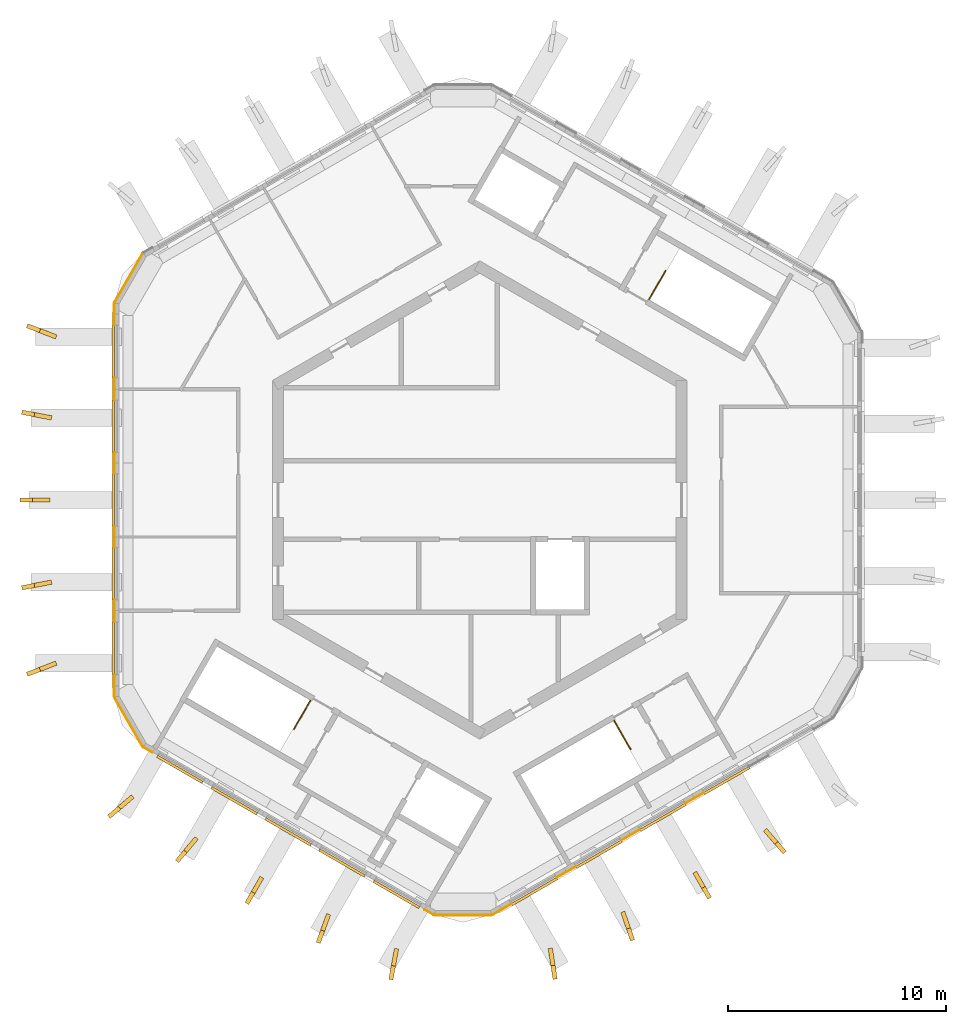
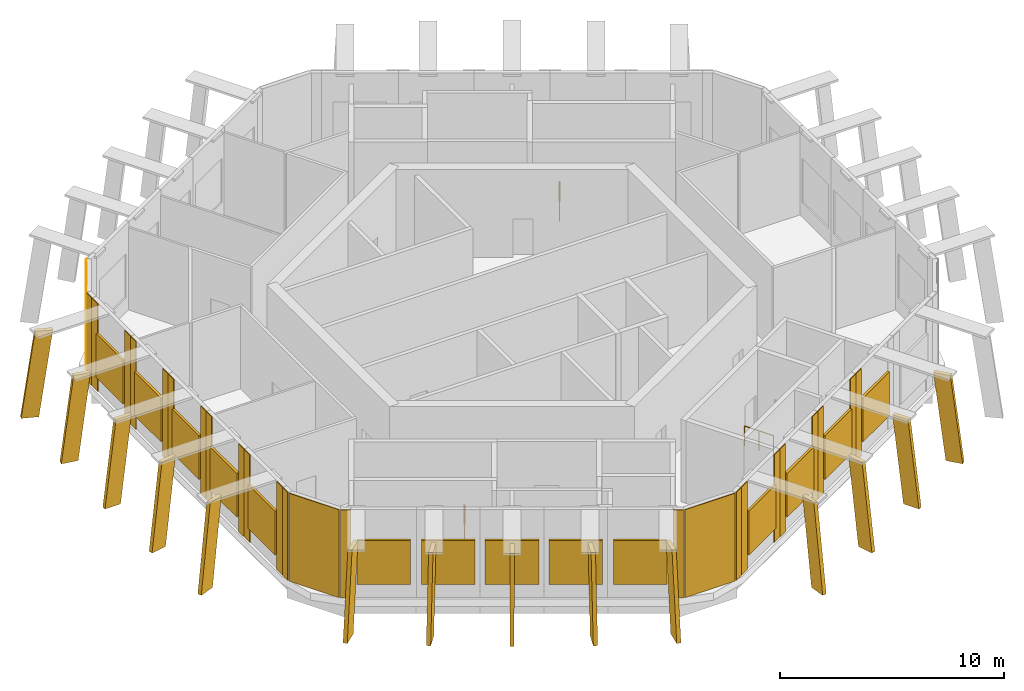
# One storey, part 6 of 8: 28 shading devices, 25 coverings, 3 railings.
"""IFC4 building model written with IfcOpenShell, lengths in metres."""

from ifc_helpers import new_model, si_unit, direction, frame, origin, origin_2d, place, context, subcontext, project, spatial, polyline, rectangle, circle, outline, extrude, material, layer, layer_set, type_object, element, save


model = new_model("IFC4")

# Units and contexts
model_context = context("Model", 3, precision=1e-05, world=origin(), true_north=direction((0.0, 1.0)))
body_context = subcontext(model_context, "Body", "Model", "MODEL_VIEW")
ifc_project = project(units=[si_unit("LENGTHUNIT", "METRE"), si_unit("AREAUNIT", "SQUARE_METRE"), si_unit("VOLUMEUNIT", "CUBIC_METRE"), si_unit("PLANEANGLEUNIT", "RADIAN"), si_unit("MASSUNIT", "GRAM", prefix="KILO")], contexts=[model_context])

# Site, building, storey
site_placement = place(None, origin())
site = spatial("IfcSite", under=ifc_project, at=site_placement, CompositionType="ELEMENT")
building_placement = place(site_placement, origin())
building = spatial("IfcBuilding", under=site, at=building_placement, Name="Ayvan Gate Tower", CompositionType="ELEMENT")
storey_placement = place(building_placement, frame((0.0, 0.0, 262.89990234375)))
storey = spatial("IfcBuildingStorey", under=building, at=storey_placement, Name="L70", CompositionType="ELEMENT", Elevation=262.89990234375)

# Shading devices
ifc_material_1 = material(Name="Bronze anodised aluminium", Category="aluminium")
ifc_layer_1 = layer(ifc_material_1, 0.199951171875)
ifc_layer_set_1 = layer_set([ifc_layer_1], Name="Bronze anodised aluminium")
shading_device_type_1 = type_object("IfcShadingDeviceType", Name="Crown frame rib 800 x 200", PredefinedType="USERDEFINED", material=ifc_layer_set_1)
shading_device_1_placement = place(storey_placement, frame((-19.974365234375, 7.798828125, 0.0), z_axis=(0.359336898806, 0.933207844203, 0.000335670356), x_axis=(-0.933207896772, 0.359336919065, -4.7795e-08)))
element("IfcShadingDevice", 1, at=shading_device_1_placement, inside=storey, type_object=shading_device_type_1, Name="CROWN FRAME rib FR08.4.1", ObjectType="FIN", PredefinedType="USERDEFINED", context=body_context, shape_type="SweptSolid", body=[
    extrude(outline(polyline([(0.0, 0.0), (0.8000607028774706, 0.0), (0.16578161446837197, 4.680176052841926), (-0.6341913596690925, 4.6801759763690125), (0.0, 0.0)])), origin(), (0.0, 0.0, -1.0), 0.199951171875),
])
shading_device_2_placement = place(storey_placement, frame((-20.189697265625, 3.9736328125, 0.0), z_axis=(0.188275800983, 0.982116151479, 0.000296256988), x_axis=(-0.982116194578, 0.188275809247, -8.512e-09)))
element("IfcShadingDevice", 2, at=shading_device_2_placement, inside=storey, type_object=shading_device_type_1, Name="CROWN FRAME rib FR08.4.2", ObjectType="FIN", PredefinedType="USERDEFINED", context=body_context, shape_type="SweptSolid", body=[
    extrude(outline(polyline([(0.0, 0.0), (0.7999550997210517, 0.0), (0.21600423130020308, 4.68017598847385), (-0.5841906428824155, 4.6801759748541265), (0.0, 0.0)])), origin(), (0.0, 0.0, -1.0), 0.199951171875),
])
shading_device_3_placement = place(storey_placement, frame((-20.281005859375, 0.099853515625, 0.0), z_axis=(0.0, 0.999999951019, 0.00031298903), x_axis=(-1.0, 0.0, 0.0)))
element("IfcShadingDevice", 3, at=shading_device_3_placement, inside=storey, type_object=shading_device_type_1, Name="CROWN FRAME rib FR08.4.3", ObjectType="FIN", PredefinedType="USERDEFINED", context=body_context, shape_type="SweptSolid", body=[
    extrude(outline(polyline([(0.0, 0.0), (0.800048828125, 0.0), (0.233154296875, 4.680176010490018), (-0.56689453125, 4.680176010490018), (0.0, 0.0)])), origin(), (0.0, 0.0, -1.0), 0.199951171875),
])
shading_device_4_placement = place(storey_placement, frame((-20.227294921875, -3.777587890625, 0.0), z_axis=(-0.188304017365, 0.982110742108, 0.000295433729), x_axis=(-0.982110784967, -0.188304025583, 0.0)))
element("IfcShadingDevice", 4, at=shading_device_4_placement, inside=storey, type_object=shading_device_type_1, Name="CROWN FRAME rib FR08.4.4", ObjectType="FIN", PredefinedType="USERDEFINED", context=body_context, shape_type="SweptSolid", body=[
    extrude(outline(polyline([(0.0, 0.0), (0.7999551000512035, 0.0), (0.2157906110759252, 4.680175985495431), (-0.5841644889752783, 4.680175985495431), (0.0, 0.0)])), origin(), (0.0, 0.0, -1.0), 0.199951171875),
])
shading_device_5_placement = place(storey_placement, frame((-20.046142578125, -7.6123046875, 0.0), z_axis=(-0.359469772381, 0.93315667567, 0.000318428418), x_axis=(-0.93315672298, -0.359469790605, 0.0)))
element("IfcShadingDevice", 5, at=shading_device_5_placement, inside=storey, type_object=shading_device_type_1, Name="CROWN FRAME rib FR08.4.5", ObjectType="FIN", PredefinedType="USERDEFINED", context=body_context, shape_type="SweptSolid", body=[
    extrude(outline(polyline([(0.0, 0.0), (0.8000607109875282, 1.3552527156068805e-20), (0.1659234610777547, 4.680176018527108), (-0.6341372499097736, 4.680176018527108), (0.0, 0.0)])), origin(), (0.0, 0.0, -1.0), 0.199951171875),
])
shading_device_6_placement = place(storey_placement, frame((-16.462890625, -13.931640625, 0.0), z_axis=(-0.649458249959, 0.760397194442, 0.000297061156), x_axis=(-0.760397227998, -0.649458278608, -2.9437e-08)))
element("IfcShadingDevice", 6, at=shading_device_6_placement, inside=storey, type_object=shading_device_type_1, Name="CROWN FRAME rib FR08.5.1", ObjectType="FIN", PredefinedType="USERDEFINED", context=body_context, shape_type="SweptSolid", body=[
    extrude(outline(polyline([(0.0, 0.0), (0.8000383567015731, 1.3552527156068805e-20), (0.15851154885138014, 4.680175992417979), (-0.6413411639957012, 4.68017594532168), (0.0, 0.0)])), origin(), (0.0, 0.0, -1.0), 0.199951171875),
])
shading_device_7_placement = place(storey_placement, frame((-13.44384765625, -15.89111328125, 0.0), z_axis=(-0.766542767907, 0.642193174785, 0.000333510694), x_axis=(-0.64219321049, -0.766542810546, 3.901e-08)))
element("IfcShadingDevice", 7, at=shading_device_7_placement, inside=storey, type_object=shading_device_type_1, Name="CROWN FRAME rib FR08.5.2", ObjectType="FIN", PredefinedType="USERDEFINED", context=body_context, shape_type="SweptSolid", body=[
    extrude(outline(polyline([(0.0, 0.0), (0.7999829235751458, 0.0), (0.2022112855684478, 4.680176033648304), (-0.5979284234584779, 4.680176096069026), (0.0, 0.0)])), origin(), (0.0, 0.0, -1.0), 0.199951171875),
])
shading_device_8_placement = place(storey_placement, frame((-10.36767578125, -17.757568359375, 0.0), z_axis=(-0.866028015161, 0.499995385074, 0.000303084957), x_axis=(-0.499995408029, -0.866028054944, 4.0052e-08)))
element("IfcShadingDevice", 8, at=shading_device_8_placement, inside=storey, type_object=shading_device_type_1, Name="CROWN FRAME rib FR08.5.3", ObjectType="FIN", PredefinedType="USERDEFINED", context=body_context, shape_type="SweptSolid", body=[
    extrude(outline(polyline([(0.0, 0.0), (0.7999951411821988, 2.710505431213761e-20), (0.2168145533030048, 4.680175987527889), (-0.5833026570706074, 4.680176051614827), (0.0, 0.0)])), origin(), (0.0, 0.0, -1.0), 0.199951171875),
])
shading_device_9_placement = place(storey_placement, frame((-7.22802734375, -19.519775390625, 0.0), z_axis=(-0.939427480122, 0.342747582904, 0.000322497402), x_axis=(-0.342747600727, -0.939427528975, 0.0)))
element("IfcShadingDevice", 9, at=shading_device_9_placement, inside=storey, type_object=shading_device_type_1, Name="CROWN FRAME rib FR08.5.4", ObjectType="FIN", PredefinedType="USERDEFINED", context=body_context, shape_type="SweptSolid", body=[
    extrude(outline(polyline([(0.0, 0.0), (0.7999178441897364, 0.0), (0.20215754531311653, 4.680176024629864), (-0.59776029887662, 4.680176024629864), (0.0, 0.0)])), origin(), (0.0, 0.0, -1.0), 0.199951171875),
])
shading_device_10_placement = place(storey_placement, frame((-4.0302734375, -21.186767578125, 0.0), z_axis=(-0.98326373081, 0.182187600029, 0.000337742627), x_axis=(-0.18218761042, -0.98326378689, 0.0)))
element("IfcShadingDevice", 10, at=shading_device_10_placement, inside=storey, type_object=shading_device_type_1, Name="CROWN FRAME rib FR08.5.5", ObjectType="FIN", PredefinedType="USERDEFINED", context=body_context, shape_type="SweptSolid", body=[
    extrude(outline(polyline([(0.0, 0.0), (0.8000102355421452, 0.0), (0.15861665917399917, 4.680176048184041), (-0.6413935763681461, 4.680176048184041), (0.0, 0.0)])), origin(), (0.0, 0.0, -1.0), 0.199951171875),
])
shading_device_11_placement = place(storey_placement, frame((3.233154296875, -21.19775390625, 0.0), z_axis=(-0.987861685188, -0.155335680495, 0.000342493626), x_axis=(0.155335689605, -0.987861743127, 0.0)))
element("IfcShadingDevice", 11, at=shading_device_11_placement, inside=storey, type_object=shading_device_type_1, Name="CROWN FRAME rib FR08.6.1", ObjectType="FIN", PredefinedType="USERDEFINED", context=body_context, shape_type="SweptSolid", body=[
    extrude(outline(polyline([(0.0, 0.0), (0.7999937325470513, -6.776263578034403e-21), (0.165836173127734, 4.680176055746742), (-0.6341575594193173, 4.680176055746742), (0.0, 0.0)])), origin(), (0.0, 0.0, -1.0), 0.199951171875),
])
shading_device_12_placement = place(storey_placement, frame((6.653564453125, -19.4716796875, 0.0), z_axis=(-0.944688059909, -0.327970055047, 0.000335347411), x_axis=(0.327970073474, -0.944688113033, -4.8351e-08)))
element("IfcShadingDevice", 12, at=shading_device_12_placement, inside=storey, type_object=shading_device_type_1, Name="CROWN FRAME rib FR08.6.2", ObjectType="FIN", PredefinedType="USERDEFINED", context=body_context, shape_type="SweptSolid", body=[
    extrude(outline(polyline([(0.0, 0.0), (0.7998167892450114, -2.710505431213761e-20), (0.21582114575716774, 4.6801760548464735), (-0.5840757143065628, 4.680175977499166), (0.0, 0.0)])), origin(), (0.0, 0.0, -1.0), 0.199951171875),
])
shading_device_13_placement = place(storey_placement, frame((10.053955078125, -17.61376953125, 0.0), z_axis=(-0.865961940127, -0.500109802632, 0.000321812192), x_axis=(0.500109828528, -0.865961984968, 0.0)))
element("IfcShadingDevice", 13, at=shading_device_13_placement, inside=storey, type_object=shading_device_type_1, Name="CROWN FRAME rib FR08.6.3", ObjectType="FIN", PredefinedType="USERDEFINED", context=body_context, shape_type="SweptSolid", body=[
    extrude(outline(polyline([(0.0, 0.0), (0.8001172173575528, -1.3552527156068805e-20), (0.23318010810367298, 4.680176023596743), (-0.5669371092538799, 4.680176023596743), (0.0, 0.0)])), origin(), (0.0, 0.0, -1.0), 0.199951171875),
])
shading_device_14_placement = place(storey_placement, frame((13.385009765625, -15.628662109375, 0.0), z_axis=(-0.756297835956, -0.65422737958, 0.000345160604), x_axis=(0.65422741856, -0.756297880999, 3.4457e-08)))
element("IfcShadingDevice", 14, at=shading_device_14_placement, inside=storey, type_object=shading_device_type_1, Name="CROWN FRAME rib FR08.6.4", ObjectType="FIN", PredefinedType="USERDEFINED", context=body_context, shape_type="SweptSolid", body=[
    extrude(outline(polyline([(0.0, 0.0), (0.7999926109642026, 2.710505431213761e-20), (0.2160662997654175, 4.680176052593431), (-0.5841109542361386, 4.68017610773005), (0.0, 0.0)])), origin(), (0.0, 0.0, -1.0), 0.199951171875),
])

# Coverings
ifc_material_2 = material(Name="Pale metal cladding")
ifc_layer_2 = layer(ifc_material_2, 0.0400390625)
ifc_layer_set_2 = layer_set([ifc_layer_2], Name="Pale metal cladding")
covering_type = type_object("IfcCoveringType", Name="Drum cladding panel 40", PredefinedType="CLADDING", material=ifc_layer_set_2)
covering_1_placement = place(storey_placement, frame((-16.102783203125, 10.183837890625, 0.0), z_axis=(0.0, 0.0, 1.0), x_axis=(-0.5, -0.866025403784, 0.0)))
element("IfcCovering", 15, at=covering_1_placement, inside=storey, type_object=covering_type, Name="Drum cladding panel L70.C01.1", PredefinedType="CLADDING", context=body_context, shape_type="SweptSolid", body=[
    extrude(rectangle(XDim=2.58251953125, YDim=0.0400390625, at=origin_2d()), origin(), (0.0, 0.0, 1.0), 4.800048828125),
])
covering_2_placement = place(storey_placement, frame((-16.764404296875, 8.76806640625, 0.0), z_axis=(0.0, 0.0, 1.0), x_axis=(0.0, -1.0, 0.0)))
element("IfcCovering", 16, at=covering_2_placement, inside=storey, type_object=covering_type, Name="Drum cladding panel L70.C01.2", PredefinedType="CLADDING", context=body_context, shape_type="SweptSolid", body=[
    extrude(rectangle(XDim=0.47509765625, YDim=0.0400390625, at=origin_2d()), origin(), (0.0, 0.0, 1.0), 4.800048828125),
])
for number, where, z_axis, x_axis, name in (
    (17, (-16.764404296875, 8.26708984375, 0.0), (0.0, 0.0, 1.0), (0.0, -1.0, 0.0), "Drum cladding panel L70.F02.0.0"),
    (18, (-16.764404296875, 5.340087890625, 0.0), (0.0, 0.0, 1.0), (0.0, -1.0, 0.0), "Drum cladding panel L70.F02.0.1"),
):
    element("IfcCovering", number, at=place(storey_placement, frame(where, z_axis=z_axis, x_axis=x_axis)), inside=storey, type_object=covering_type, Name=name, PredefinedType="CLADDING", context=body_context, shape_type="SweptSolid", body=[
        extrude(rectangle(XDim=0.527099609375, YDim=0.0400390625, at=origin_2d()), origin(), (0.0, 0.0, 1.0), 4.800048828125),
    ])
for number, where, z_axis, x_axis, name in (
    (19, (-16.764404296875, 4.83056640625, 0.0), (0.0, 0.0, 1.0), (0.0, -1.0, 0.0), "Drum cladding panel L70.F02.1.0"),
    (20, (-16.764404296875, 1.9384765625, 0.0), (0.0, 0.0, 1.0), (0.0, -1.0, 0.0), "Drum cladding panel L70.F02.1.1"),
):
    element("IfcCovering", number, at=place(storey_placement, frame(where, z_axis=z_axis, x_axis=x_axis)), inside=storey, type_object=covering_type, Name=name, PredefinedType="CLADDING", context=body_context, shape_type="SweptSolid", body=[
        extrude(rectangle(XDim=0.491943359375, YDim=0.0400390625, at=origin_2d()), origin(), (0.0, 0.0, 1.0), 4.800048828125),
    ])
for number, where, z_axis, x_axis, name in (
    (21, (-16.764404296875, 1.4462890625, 0.0), (0.0, 0.0, 1.0), (0.0, -1.0, 0.0), "Drum cladding panel L70.F02.2.0"),
    (22, (-16.764404296875, -1.4462890625, 0.0), (0.0, 0.0, 1.0), (0.0, -1.0, 0.0), "Drum cladding panel L70.F02.2.1"),
):
    element("IfcCovering", number, at=place(storey_placement, frame(where, z_axis=z_axis, x_axis=x_axis)), inside=storey, type_object=covering_type, Name=name, PredefinedType="CLADDING", context=body_context, shape_type="SweptSolid", body=[
        extrude(rectangle(XDim=0.492431640625, YDim=0.0400390625, at=origin_2d()), origin(), (0.0, 0.0, 1.0), 4.800048828125),
    ])
for number, where, z_axis, x_axis, name in (
    (23, (-16.764404296875, -1.9384765625, 0.0), (0.0, 0.0, 1.0), (0.0, -1.0, 0.0), "Drum cladding panel L70.F02.3.0"),
    (24, (-16.764404296875, -4.83056640625, 0.0), (0.0, 0.0, 1.0), (0.0, -1.0, 0.0), "Drum cladding panel L70.F02.3.1"),
):
    element("IfcCovering", number, at=place(storey_placement, frame(where, z_axis=z_axis, x_axis=x_axis)), inside=storey, type_object=covering_type, Name=name, PredefinedType="CLADDING", context=body_context, shape_type="SweptSolid", body=[
        extrude(rectangle(XDim=0.491943359375, YDim=0.0400390625, at=origin_2d()), origin(), (0.0, 0.0, 1.0), 4.800048828125),
    ])
for number, where, z_axis, x_axis, name in (
    (25, (-16.764404296875, -5.340087890625, 0.0), (0.0, 0.0, 1.0), (0.0, -1.0, 0.0), "Drum cladding panel L70.F02.4.0"),
    (26, (-16.764404296875, -8.26708984375, 0.0), (0.0, 0.0, 1.0), (0.0, -1.0, 0.0), "Drum cladding panel L70.F02.4.1"),
):
    element("IfcCovering", number, at=place(storey_placement, frame(where, z_axis=z_axis, x_axis=x_axis)), inside=storey, type_object=covering_type, Name=name, PredefinedType="CLADDING", context=body_context, shape_type="SweptSolid", body=[
        extrude(rectangle(XDim=0.527099609375, YDim=0.0400390625, at=origin_2d()), origin(), (0.0, 0.0, 1.0), 4.800048828125),
    ])
covering_3_placement = place(storey_placement, frame((-16.764404296875, -8.76806640625, 0.0), z_axis=(0.0, 0.0, 1.0), x_axis=(0.0, -1.0, 0.0)))
element("IfcCovering", 27, at=covering_3_placement, inside=storey, type_object=covering_type, Name="Drum cladding panel L70.C03.0", PredefinedType="CLADDING", context=body_context, shape_type="SweptSolid", body=[
    extrude(rectangle(XDim=0.47509765625, YDim=0.0400390625, at=origin_2d()), origin(), (0.0, 0.0, 1.0), 4.800048828125),
])
covering_4_placement = place(storey_placement, frame((-16.102783203125, -10.183837890625, 0.0), z_axis=(0.0, 0.0, 1.0), x_axis=(0.5, -0.866025403784, 0.0)))
element("IfcCovering", 28, at=covering_4_placement, inside=storey, type_object=covering_type, Name="Drum cladding panel L70.C03.1", PredefinedType="CLADDING", context=body_context, shape_type="SweptSolid", body=[
    extrude(rectangle(XDim=2.58251953125, YDim=0.0400390625, at=origin_2d()), origin(), (0.0, 0.0, 1.0), 4.800048828125),
])
for number, where, z_axis, x_axis, name in (
    (29, (-15.20751953125, -11.464599609375, 0.0), (0.0, 0.0, 1.0), (0.866025403784, -0.5, 0.0), "Drum cladding panel L70.C03.2"),
    (30, (-2.324951171875, -18.90234375, 0.0), (0.0, 0.0, 1.0), (0.866025403784, -0.5, 0.0), "Drum cladding panel L70.C05.0"),
):
    element("IfcCovering", number, at=place(storey_placement, frame(where, z_axis=z_axis, x_axis=x_axis)), inside=storey, type_object=covering_type, Name=name, PredefinedType="CLADDING", context=body_context, shape_type="SweptSolid", body=[
        extrude(rectangle(XDim=0.47509765625, YDim=0.0400390625, at=origin_2d()), origin(), (0.0, 0.0, 1.0), 4.800048828125),
    ])
covering_5_placement = place(storey_placement, frame((-0.76806640625, -19.037353515625, 0.0), z_axis=(0.0, 0.0, 1.0), x_axis=(1.0, 0.0, 0.0)))
element("IfcCovering", 31, at=covering_5_placement, inside=storey, type_object=covering_type, Name="Drum cladding panel L70.C05.1", PredefinedType="CLADDING", context=body_context, shape_type="SweptSolid", body=[
    extrude(rectangle(XDim=2.58251953125, YDim=0.0400390625, at=origin_2d()), origin(), (0.0, 0.0, 1.0), 4.800048828125),
])
covering_6_placement = place(storey_placement, frame((0.788818359375, -18.90234375, 0.0), z_axis=(0.0, 0.0, 1.0), x_axis=(0.866025403784, 0.5, 0.0)))
element("IfcCovering", 32, at=covering_6_placement, inside=storey, type_object=covering_type, Name="Drum cladding panel L70.C05.2", PredefinedType="CLADDING", context=body_context, shape_type="SweptSolid", body=[
    extrude(rectangle(XDim=0.47509765625, YDim=0.0400390625, at=origin_2d()), origin(), (0.0, 0.0, 1.0), 4.800048828125),
])
for number, where, z_axis, x_axis, name in (
    (33, (1.222900390625, -18.65185546875, 0.0), (0.0, 0.0, 1.0), (0.866025403784, 0.5, 0.0), "Drum cladding panel L70.F06.0.0"),
    (34, (3.757568359375, -17.1884765625, 0.0), (0.0, 0.0, 1.0), (0.866025403784, 0.5, 0.0), "Drum cladding panel L70.F06.0.1"),
):
    element("IfcCovering", number, at=place(storey_placement, frame(where, z_axis=z_axis, x_axis=x_axis)), inside=storey, type_object=covering_type, Name=name, PredefinedType="CLADDING", context=body_context, shape_type="SweptSolid", body=[
        extrude(rectangle(XDim=0.527099609375, YDim=0.0400390625, at=origin_2d()), origin(), (0.0, 0.0, 1.0), 4.800048828125),
    ])
for number, where, z_axis, x_axis, name in (
    (35, (4.198974609375, -16.93359375, 0.0), (0.0, 0.0, 1.0), (0.866025403784, 0.5, 0.0), "Drum cladding panel L70.F06.1.0"),
    (36, (6.703369140625, -15.48779296875, 0.0), (0.0, 0.0, 1.0), (0.866025403784, 0.5, 0.0), "Drum cladding panel L70.F06.1.1"),
):
    element("IfcCovering", number, at=place(storey_placement, frame(where, z_axis=z_axis, x_axis=x_axis)), inside=storey, type_object=covering_type, Name=name, PredefinedType="CLADDING", context=body_context, shape_type="SweptSolid", body=[
        extrude(rectangle(XDim=0.491943359375, YDim=0.0400390625, at=origin_2d()), origin(), (0.0, 0.0, 1.0), 4.800048828125),
    ])
for number, where, z_axis, x_axis, name in (
    (37, (7.129638671875, -15.241455078125, 0.0), (0.0, 0.0, 1.0), (0.866025403784, 0.5, 0.0), "Drum cladding panel L70.F06.2.0"),
    (38, (9.634765625, -13.79541015625, 0.0), (0.0, 0.0, 1.0), (0.866025403784, 0.5, 0.0), "Drum cladding panel L70.F06.2.1"),
):
    element("IfcCovering", number, at=place(storey_placement, frame(where, z_axis=z_axis, x_axis=x_axis)), inside=storey, type_object=covering_type, Name=name, PredefinedType="CLADDING", context=body_context, shape_type="SweptSolid", body=[
        extrude(rectangle(XDim=0.492431640625, YDim=0.0400390625, at=origin_2d()), origin(), (0.0, 0.0, 1.0), 4.800048828125),
    ])
covering_7_placement = place(storey_placement, frame((10.06103515625, -13.54931640625, 0.0), z_axis=(0.0, 0.0, 1.0), x_axis=(0.866025403784, 0.5, 0.0)))
element("IfcCovering", 39, at=covering_7_placement, inside=storey, type_object=covering_type, Name="Drum cladding panel L70.F06.3.0", PredefinedType="CLADDING", context=body_context, shape_type="SweptSolid", body=[
    extrude(rectangle(XDim=0.491943359375, YDim=0.0400390625, at=origin_2d()), origin(), (0.0, 0.0, 1.0), 4.800048828125),
])

# Shading devices
ifc_material_3 = material(Name="Anodised aluminium louvre", Category="aluminium")
ifc_layer_3 = layer(ifc_material_3, 0.1201171875)
ifc_layer_set_3 = layer_set([ifc_layer_3], Name="Anodised aluminium louvre")
shading_device_type_2 = type_object("IfcShadingDeviceType", Name="Plant louvre 2400 x 2400", PredefinedType="USERDEFINED", material=ifc_layer_set_3)
for number, where, z_axis, x_axis, name in (
    (40, (-16.804443359375, 6.803466796875, 0.800048828125), (0.0, 0.0, 1.0), (0.0, -1.0, 0.0), "Plant louvre L70.2.0"),
    (41, (-16.804443359375, 3.384521484375, 0.800048828125), (0.0, 0.0, 1.0), (0.0, -1.0, 0.0), "Plant louvre L70.2.1"),
    (42, (-16.804443359375, 0.0, 0.800048828125), (0.0, 0.0, 1.0), (0.0, -1.0, 0.0), "Plant louvre L70.2.2"),
    (43, (-16.804443359375, -3.384521484375, 0.800048828125), (0.0, 0.0, 1.0), (0.0, -1.0, 0.0), "Plant louvre L70.2.3"),
    (44, (-16.804443359375, -6.803466796875, 0.800048828125), (0.0, 0.0, 1.0), (0.0, -1.0, 0.0), "Plant louvre L70.2.4"),
    (45, (-13.756591796875, -12.3486328125, 0.800048828125), (0.0, 0.0, 1.0), (0.866025403784, -0.5, 0.0), "Plant louvre L70.4.0"),
    (46, (-11.25634765625, -13.7919921875, 0.800048828125), (0.0, 0.0, 1.0), (0.866025403784, -0.5, 0.0), "Plant louvre L70.4.1"),
    (47, (-8.786376953125, -15.218017578125, 0.800048828125), (0.0, 0.0, 1.0), (0.866025403784, -0.5, 0.0), "Plant louvre L70.4.2"),
    (48, (-6.316162109375, -16.644287109375, 0.800048828125), (0.0, 0.0, 1.0), (0.866025403784, -0.5, 0.0), "Plant louvre L70.4.3"),
    (49, (-3.815673828125, -18.087890625, 0.800048828125), (0.0, 0.0, 1.0), (0.866025403784, -0.5, 0.0), "Plant louvre L70.4.4"),
    (50, (2.51025390625, -17.954833984375, 0.800048828125), (0.0, 0.0, 1.0), (0.866025403784, 0.5, 0.0), "Plant louvre L70.6.0"),
    (51, (5.47119140625, -16.245361328125, 0.800048828125), (0.0, 0.0, 1.0), (0.866025403784, 0.5, 0.0), "Plant louvre L70.6.1"),
    (52, (8.40234375, -14.552978515625, 0.800048828125), (0.0, 0.0, 1.0), (0.866025403784, 0.5, 0.0), "Plant louvre L70.6.2"),
    (53, (11.333251953125, -12.86083984375, 0.800048828125), (0.0, 0.0, 1.0), (0.866025403784, 0.5, 0.0), "Plant louvre L70.6.3"),
):
    element("IfcShadingDevice", number, at=place(storey_placement, frame(where, z_axis=z_axis, x_axis=x_axis)), inside=storey, type_object=shading_device_type_2, Name=name, ObjectType="LOUVRE", PredefinedType="USERDEFINED", context=body_context, shape_type="SweptSolid", body=[
        extrude(rectangle(XDim=2.39990234375, YDim=0.1201171875, at=origin_2d()), origin(), (0.0, 0.0, 1.0), 2.39990234375),
    ])

# Railings
ifc_material_4 = material(Name="Stainless steel balustrade", Category="steel")
railing_type = type_object("IfcRailingType", Name="RL-GUARD-1100", PredefinedType="GUARDRAIL", material=ifc_material_4)
railing_1_placement = place(storey_placement, frame((7.7626953125, 9.195556640625, 0.0)))
element("IfcRailing", 54, at=railing_1_placement, inside=storey, type_object=railing_type, Name="L70 STS1 top well guard 1", PredefinedType="GUARDRAIL", context=body_context, shape_type="SweptSolid", body=[
    extrude(circle(Radius=0.02392578125, at=origin_2d()), frame((0.0, 0.0, 1.076171875), z_axis=(0.500086331311, 0.865975554641, 0.0), x_axis=(-0.865975554641, 0.500086331311, 0.0)), (0.0, 0.0, 1.0), 1.510009765625),
    extrude(circle(Radius=0.02099609375, at=origin_2d()), origin(), (0.0, 0.0, 1.0), 1.052001953125),
    extrude(circle(Radius=0.02099609375, at=origin_2d()), frame((0.37744140625, 0.65380859375, 0.0)), (0.0, 0.0, 1.0), 1.052001953125),
    extrude(circle(Radius=0.02099609375, at=origin_2d()), frame((0.755126953125, 1.3076171875, 0.0)), (0.0, 0.0, 1.0), 1.052001953125),
])
railing_2_placement = place(storey_placement, frame((-7.7626953125, -9.195556640625, 0.0)))
element("IfcRailing", 55, at=railing_2_placement, inside=storey, type_object=railing_type, Name="L70 STS2 top well guard 1", PredefinedType="GUARDRAIL", context=body_context, shape_type="SweptSolid", body=[
    extrude(circle(Radius=0.02392578125, at=origin_2d()), frame((0.0, 0.0, 1.076171875), z_axis=(-0.500086331311, -0.865975554641, 0.0), x_axis=(0.865975554641, -0.500086331311, 0.0)), (0.0, 0.0, 1.0), 1.510009765625),
    extrude(circle(Radius=0.02099609375, at=origin_2d()), origin(), (0.0, 0.0, 1.0), 1.052001953125),
    extrude(circle(Radius=0.02099609375, at=origin_2d()), frame((-0.37744140625, -0.65380859375, 0.0)), (0.0, 0.0, 1.0), 1.052001953125),
    extrude(circle(Radius=0.02099609375, at=origin_2d()), frame((-0.755126953125, -1.3076171875, 0.0)), (0.0, 0.0, 1.0), 1.052001953125),
])
railing_3_placement = place(storey_placement, frame((6.16064453125, -10.12060546875, 0.0)))
element("IfcRailing", 56, at=railing_3_placement, inside=storey, type_object=railing_type, Name="L70 STS3 top well guard 1", PredefinedType="GUARDRAIL", context=body_context, shape_type="SweptSolid", body=[
    extrude(circle(Radius=0.02392578125, at=origin_2d()), frame((0.0, 0.0, 1.076171875), z_axis=(0.500086331311, -0.865975554641, 0.0), x_axis=(0.865975554641, 0.500086331311, 0.0)), (0.0, 0.0, 1.0), 1.510009765625),
    extrude(circle(Radius=0.02099609375, at=origin_2d()), origin(), (0.0, 0.0, 1.0), 1.052001953125),
    extrude(circle(Radius=0.02099609375, at=origin_2d()), frame((0.37744140625, -0.65380859375, 0.0)), (0.0, 0.0, 1.0), 1.052001953125),
    extrude(circle(Radius=0.02099609375, at=origin_2d()), frame((0.755126953125, -1.3076171875, 0.0)), (0.0, 0.0, 1.0), 1.052001953125),
])

save(model, "model.ifc")
